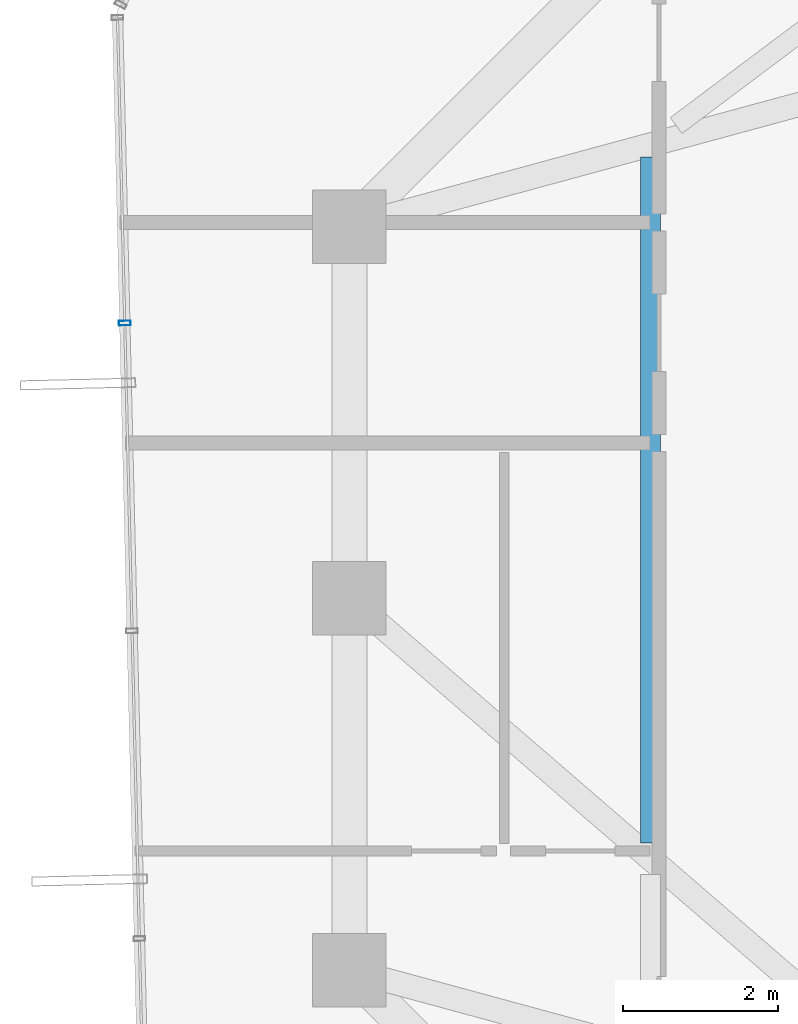
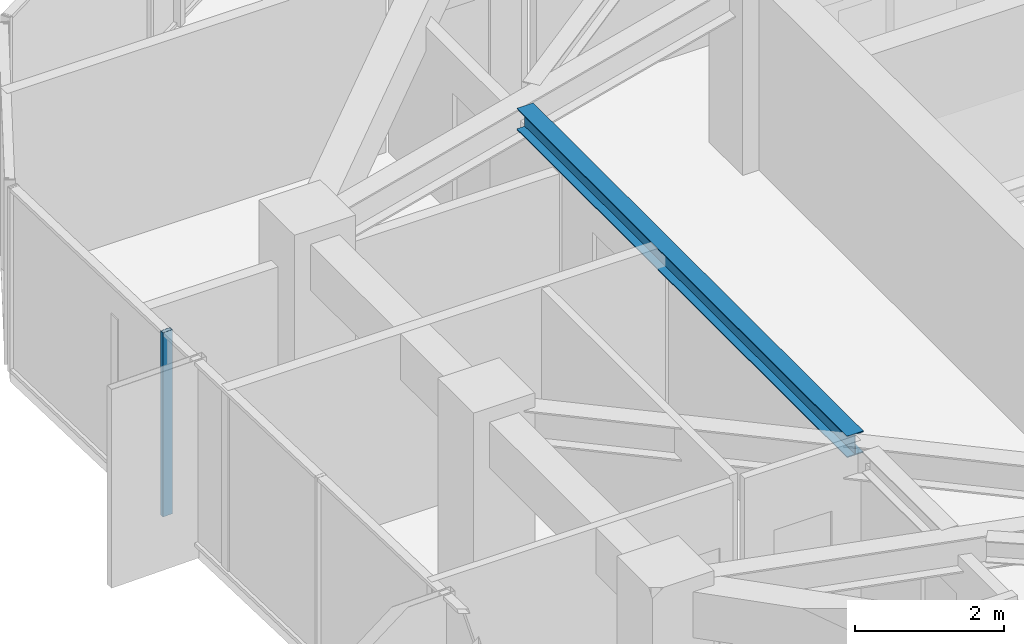
# One storey, part 14 of 32: 1 beam, 1 member, 1 element without a shape of its own.
"""IFC4 building model written with IfcOpenShell, lengths in metres."""

from ifc_helpers import new_model, si_unit, direction, frame, origin, origin_2d, place, context, subcontext, project, spatial, hollow_rectangle, i_section, extrude, source, transform, mapped, material, layer, layer_set, material_profile, profile_set, type_object, element, aggregate, save


model = new_model("IFC4")

# Units and contexts
model_context = context("Model", 3, precision=1e-05, world=origin(), true_north=direction((0.0, 1.0)))
body_context = subcontext(model_context, "Body", "Model", "MODEL_VIEW")
ifc_project = project(units=[si_unit("LENGTHUNIT", "METRE"), si_unit("AREAUNIT", "SQUARE_METRE"), si_unit("VOLUMEUNIT", "CUBIC_METRE"), si_unit("PLANEANGLEUNIT", "RADIAN"), si_unit("MASSUNIT", "GRAM", prefix="KILO")], contexts=[model_context])

# Site, building, storey
site_placement = place(None, origin())
site = spatial("IfcSite", under=ifc_project, at=site_placement, CompositionType="ELEMENT")
building_placement = place(site_placement, origin())
building = spatial("IfcBuilding", under=site, at=building_placement, Name="Veraguas Prism Commons", CompositionType="ELEMENT")
storey_placement = place(building_placement, frame((0.0, 0.0, 201.60009765625)))
storey = spatial("IfcBuildingStorey", under=building, at=storey_placement, Name="L57", CompositionType="ELEMENT", Elevation=201.60009765625)

# Beam
ifc_material_1 = material(Name="Steel ASTM A992 Grade 50", Category="steel")
ifc_material_profile_1 = material_profile(ifc_material_1, i_section(OverallWidth=0.25390625, OverallDepth=0.35302734375, WebThickness=0.009521484375, FlangeThickness=0.016357421875, at=origin_2d()), Name="W360X91")
ifc_profile_set_1 = profile_set([ifc_material_profile_1], Name="Steel ASTM A992 Grade 50")
beam_type = type_object("IfcBeamType", Name="Upper Floor Joist W360x91", PredefinedType="JOIST", material=ifc_profile_set_1)
beam_placement = place(storey_placement, frame((12.988037109375, 29.697021484375, 2.83837890625), z_axis=(0.0, -1.0, 0.0), x_axis=(1.0, 0.0, 0.0)))
element("IfcBeam", 1, at=beam_placement, inside=storey, type_object=beam_type, Name="Composite Floor Joist L57-JS07", PredefinedType="JOIST", context=body_context, shape_type="SweptSolid", body=[
    extrude(i_section(OverallWidth=0.25390625, OverallDepth=0.35302734375, WebThickness=0.009521484375, FlangeThickness=0.016357421875, at=origin_2d()), origin(), (0.0, 0.0, 1.0), 8.85400390625),
])

# Curtain wall, member
ifc_material_2 = material(Name="Anodised aluminium EN AW-6063 T6", Category="aluminium")
ifc_layer = layer(ifc_material_2, 0.14990234375, Name="Unitised Flush Curtain Wall Zone 3", Category="aluminium")
ifc_layer_set = layer_set([ifc_layer], Name="Anodised aluminium EN AW-6063 T6")
curtain_wall_type = type_object("IfcCurtainWallType", Name="Unitised Flush Curtain Wall Zone 3", PredefinedType="NOTDEFINED", material=ifc_layer_set)
curtain_wall_placement = place(storey_placement, origin())
curtain_wall = element("IfcCurtainWall", 2, at=curtain_wall_placement, inside=storey, type_object=curtain_wall_type, Name="Tower Facade Curtain Wall L57-F3", PredefinedType="NOTDEFINED")
ifc_material_profile_2 = material_profile(ifc_material_2, hollow_rectangle(XDim=0.06005859375, YDim=0.14990234375, WallThickness=0.0029296875, at=origin_2d()), Name="AL60X150X3")
ifc_profile_set_2 = profile_set([ifc_material_profile_2], Name="Anodised aluminium EN AW-6063 T6")
member_type = type_object("IfcMemberType", Name="Curtain Wall Mullion Upper AL 60x150x3", PredefinedType="MULLION", material=ifc_profile_set_2)
shared_shape = source(origin(), body_context, "Body", "SweptSolid", [
    extrude(hollow_rectangle(XDim=0.06005859375, YDim=0.14990234375, WallThickness=0.0029296875, at=origin_2d()), origin(), (0.0, 0.0, 1.0), 3.014892578125),
])
member_placement = place(storey_placement, frame((6.200439453125, 27.55419921875, 0.0), z_axis=(0.0, 0.0, 1.0), x_axis=(0.023737738629, -0.999718220182, 0.0)))
member = element("IfcMember", 3, at=member_placement, type_object=member_type, Name="CW-Z3 Mullion 2", PredefinedType="MULLION", context=body_context, shape_type="MappedRepresentation", body=[
    mapped(shared_shape, transform((0.0, 0.0, 0.0), scale=1.0)),
])
aggregate(curtain_wall, [member])

save(model, "model.ifc")
